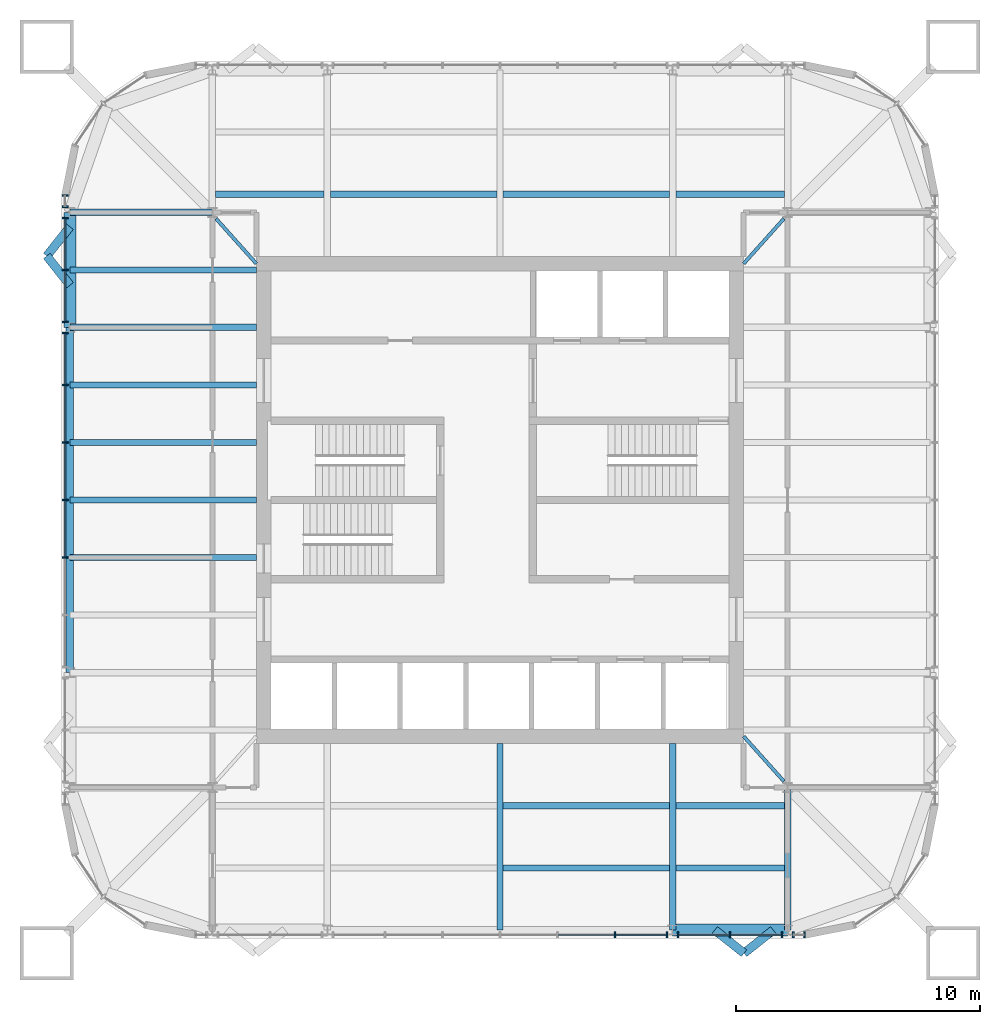
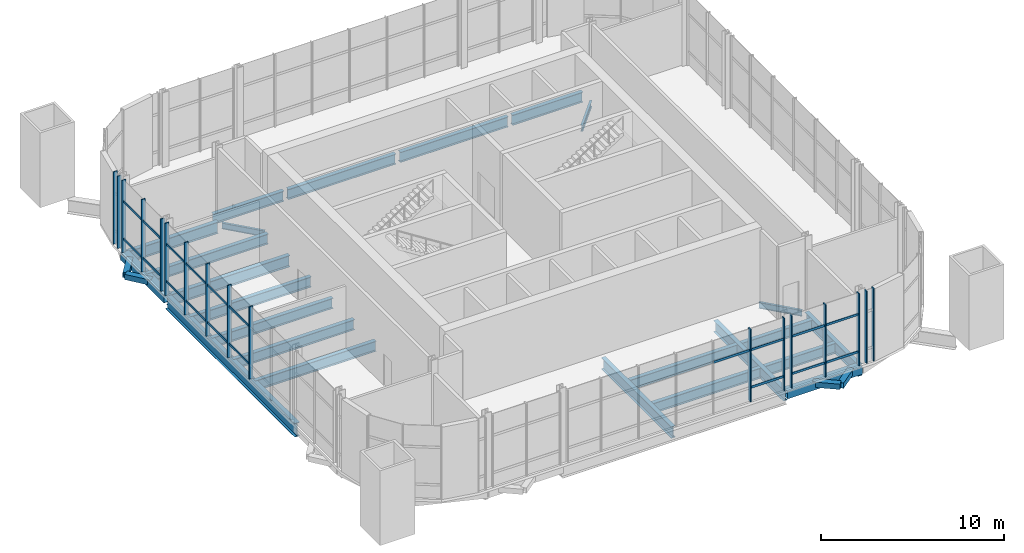
# One storey, part 3 of 15: 36 members, 28 beams, 6 elements without a shape of their own.
"""IFC4 building model written with IfcOpenShell, lengths in metres."""

from ifc_helpers import new_model, si_unit, direction, frame, origin, origin_2d, place, context, subcontext, project, spatial, rectangle, hollow_rectangle, i_section, extrude, material, material_profile, profile_set, type_object, element, aggregate, save


model = new_model("IFC4")

# Units and contexts
model_context = context("Model", 3, precision=1e-05, world=origin(), true_north=direction((0.0, 1.0)))
body_context = subcontext(model_context, "Body", "Model", "MODEL_VIEW")
ifc_project = project(units=[si_unit("LENGTHUNIT", "METRE"), si_unit("AREAUNIT", "SQUARE_METRE"), si_unit("VOLUMEUNIT", "CUBIC_METRE"), si_unit("PLANEANGLEUNIT", "RADIAN"), si_unit("MASSUNIT", "GRAM", prefix="KILO")], contexts=[model_context])

# Site, building, storey
site_placement = place(None, origin())
site = spatial("IfcSite", under=ifc_project, at=site_placement, CompositionType="ELEMENT")
building_placement = place(site_placement, origin())
building = spatial("IfcBuilding", under=site, at=building_placement, Name="Turquesa Mirador Hotel Tower", CompositionType="ELEMENT")
storey_placement = place(building_placement, frame((0.0, 0.0, 261.699951171875)))
storey = spatial("IfcBuildingStorey", under=building, at=storey_placement, Name="L71", CompositionType="ELEMENT", Elevation=261.699951171875)

# Beams
ifc_material_1 = material(Name="Steel ASTM A572 Grade 50", Category="steel")
ifc_material_profile_1 = material_profile(ifc_material_1, hollow_rectangle(XDim=0.5, YDim=0.5, WallThickness=0.01611328125, at=origin_2d()), Name="BOX500X500X16")
ifc_profile_set_1 = profile_set([ifc_material_profile_1], Name="Steel ASTM A572 Grade 50")
beam_type_1 = type_object("IfcBeamType", Name="BEAM BOX500X500X16", PredefinedType="BEAM", material=ifc_profile_set_1)
for number, where, z_axis, x_axis, name in (
    (1, (62.080078125, 27.35009765625, -0.419921875), (1.0, 0.0, 0.0), (0.0, 1.0, 0.0), "EB-L71-S-R"),
    (2, (37.35009765625, 52.080078125, -0.419921875), (0.0, 1.0, 0.0), (-1.0, 0.0, 0.0), "EB-L71-W-R"),
):
    element("IfcBeam", number, at=place(storey_placement, frame(where, z_axis=z_axis, x_axis=x_axis)), inside=storey, type_object=beam_type_1, Name=name, PredefinedType="BEAM", context=body_context, shape_type="SweptSolid", body=[
        extrude(hollow_rectangle(XDim=0.5, YDim=0.5, WallThickness=0.01611328125, at=origin_2d()), origin(), (0.0, 0.0, 1.0), 4.719970703125),
    ])
ifc_material_2 = material(Name="Steel ASTM A992 Grade 50", Category="steel")
ifc_material_profile_2 = material_profile(ifc_material_2, i_section(OverallWidth=0.140380859375, OverallDepth=0.40380859375, WebThickness=0.007080078125, FlangeThickness=0.01123046875, at=origin_2d()), Name="W16X31")
ifc_profile_set_2 = profile_set([ifc_material_profile_2], Name="Steel ASTM A992 Grade 50")
beam_type_2 = type_object("IfcBeamType", Name="BEAM W16X31", PredefinedType="BEAM", material=ifc_profile_set_2)
for number, where, z_axis, x_axis, name in (
    (3, (66.656494140625, 56.55126953125, -0.371826171875), (-0.666806350186, -0.745231032198, 0.0), (0.745231032198, -0.666806350186, 0.0), "KT-L71-1"),
    (4, (43.343505859375, 56.55126953125, -0.371826171875), (0.666806350186, -0.745231032198, 0.0), (0.745231032198, 0.666806350186, 0.0), "KT-L71-2"),
    (5, (66.656494140625, 33.44873046875, -0.371826171875), (-0.666806350186, 0.745231032198, 0.0), (-0.745231032198, -0.666806350186, 0.0), "KT-L71-4"),
):
    element("IfcBeam", number, at=place(storey_placement, frame(where, z_axis=z_axis, x_axis=x_axis)), inside=storey, type_object=beam_type_2, Name=name, PredefinedType="BEAM", context=body_context, shape_type="SweptSolid", body=[
        extrude(i_section(OverallWidth=0.140380859375, OverallDepth=0.40380859375, WebThickness=0.007080078125, FlangeThickness=0.01123046875, at=origin_2d()), origin(), (0.0, 0.0, 1.0), 2.484130859375),
    ])
ifc_material_3 = material(Name="Steel ASTM A992 Grade 50", Category="steel")
ifc_material_profile_3 = material_profile(ifc_material_3, i_section(OverallWidth=0.25390625, OverallDepth=0.683349609375, WebThickness=0.012451171875, FlangeThickness=0.018798828125, at=origin_2d()), Name="W27X94")
ifc_profile_set_3 = profile_set([ifc_material_profile_3], Name="Steel ASTM A992 Grade 50")
beam_type_3 = type_object("IfcBeamType", Name="BEAM W27X94", PredefinedType="BEAM", material=ifc_profile_set_3)
beam_1_placement = place(storey_placement, frame((43.333251953125, 57.550048828125, -0.511474609375), z_axis=(1.0, 0.0, 0.0), x_axis=(0.0, 1.0, 0.0)))
element("IfcBeam", 6, at=beam_1_placement, inside=storey, type_object=beam_type_3, Name="IB-L71-N-1-0", PredefinedType="BEAM", context=body_context, shape_type="SweptSolid", body=[
    extrude(i_section(OverallWidth=0.25390625, OverallDepth=0.683349609375, WebThickness=0.012451171875, FlangeThickness=0.018798828125, at=origin_2d()), origin(), (0.0, 0.0, 1.0), 4.453369140625),
])
for number, where, z_axis, x_axis, name in (
    (7, (48.053466796875, 57.550048828125, -0.511474609375), (1.0, 0.0, 0.0), (0.0, 1.0, 0.0), "IB-L71-N-1-1"),
    (8, (55.13330078125, 57.550048828125, -0.511474609375), (1.0, 0.0, 0.0), (0.0, 1.0, 0.0), "IB-L71-N-1-2"),
):
    element("IfcBeam", number, at=place(storey_placement, frame(where, z_axis=z_axis, x_axis=x_axis)), inside=storey, type_object=beam_type_3, Name=name, PredefinedType="BEAM", context=body_context, shape_type="SweptSolid", body=[
        extrude(i_section(OverallWidth=0.25390625, OverallDepth=0.683349609375, WebThickness=0.012451171875, FlangeThickness=0.018798828125, at=origin_2d()), origin(), (0.0, 0.0, 1.0), 6.813232421875),
    ])
beam_2_placement = place(storey_placement, frame((62.21337890625, 57.550048828125, -0.511474609375), z_axis=(1.0, 0.0, 0.0), x_axis=(0.0, 1.0, 0.0)))
element("IfcBeam", 9, at=beam_2_placement, inside=storey, type_object=beam_type_3, Name="IB-L71-N-1-3", PredefinedType="BEAM", context=body_context, shape_type="SweptSolid", body=[
    extrude(i_section(OverallWidth=0.25390625, OverallDepth=0.683349609375, WebThickness=0.012451171875, FlangeThickness=0.018798828125, at=origin_2d()), origin(), (0.0, 0.0, 1.0), 4.453369140625),
])
beam_3_placement = place(storey_placement, frame((55.13330078125, 32.449951171875, -0.511474609375), z_axis=(1.0, 0.0, 0.0), x_axis=(0.0, 1.0, 0.0)))
element("IfcBeam", 10, at=beam_3_placement, inside=storey, type_object=beam_type_3, Name="IB-L71-S-1-2", PredefinedType="BEAM", context=body_context, shape_type="SweptSolid", body=[
    extrude(i_section(OverallWidth=0.25390625, OverallDepth=0.683349609375, WebThickness=0.012451171875, FlangeThickness=0.018798828125, at=origin_2d()), origin(), (0.0, 0.0, 1.0), 6.813232421875),
])
beam_4_placement = place(storey_placement, frame((62.21337890625, 32.449951171875, -0.511474609375), z_axis=(1.0, 0.0, 0.0), x_axis=(0.0, 1.0, 0.0)))
element("IfcBeam", 11, at=beam_4_placement, inside=storey, type_object=beam_type_3, Name="IB-L71-S-1-3", PredefinedType="BEAM", context=body_context, shape_type="SweptSolid", body=[
    extrude(i_section(OverallWidth=0.25390625, OverallDepth=0.683349609375, WebThickness=0.012451171875, FlangeThickness=0.018798828125, at=origin_2d()), origin(), (0.0, 0.0, 1.0), 4.453369140625),
])
beam_5_placement = place(storey_placement, frame((55.13330078125, 29.89990234375, -0.511474609375), z_axis=(1.0, 0.0, 0.0), x_axis=(0.0, 1.0, 0.0)))
element("IfcBeam", 12, at=beam_5_placement, inside=storey, type_object=beam_type_3, Name="IB-L71-S-2-2", PredefinedType="BEAM", context=body_context, shape_type="SweptSolid", body=[
    extrude(i_section(OverallWidth=0.25390625, OverallDepth=0.683349609375, WebThickness=0.012451171875, FlangeThickness=0.018798828125, at=origin_2d()), origin(), (0.0, 0.0, 1.0), 6.813232421875),
])
beam_6_placement = place(storey_placement, frame((62.21337890625, 29.89990234375, -0.511474609375), z_axis=(1.0, 0.0, 0.0), x_axis=(0.0, 1.0, 0.0)))
element("IfcBeam", 13, at=beam_6_placement, inside=storey, type_object=beam_type_3, Name="IB-L71-S-2-3", PredefinedType="BEAM", context=body_context, shape_type="SweptSolid", body=[
    extrude(i_section(OverallWidth=0.25390625, OverallDepth=0.683349609375, WebThickness=0.012451171875, FlangeThickness=0.018798828125, at=origin_2d()), origin(), (0.0, 0.0, 1.0), 4.453369140625),
])
for number, where, z_axis, x_axis, name in (
    (14, (37.35009765625, 42.639892578125, -0.511474609375), (1.0, 0.0, 0.0), (0.0, 1.0, 0.0), "BM-L71-W--2.36"),
    (15, (37.35009765625, 45.0, -0.511474609375), (1.0, 0.0, 0.0), (0.0, 1.0, 0.0), "BM-L71-W-+0.00"),
    (16, (37.35009765625, 47.360107421875, -0.511474609375), (1.0, 0.0, 0.0), (0.0, 1.0, 0.0), "BM-L71-W-+2.36"),
    (17, (37.35009765625, 49.719970703125, -0.511474609375), (1.0, 0.0, 0.0), (0.0, 1.0, 0.0), "BM-L71-W-+4.72"),
    (18, (37.35009765625, 54.43994140625, -0.511474609375), (1.0, 0.0, 0.0), (0.0, 1.0, 0.0), "BM-L71-W-+9.44"),
):
    element("IfcBeam", number, at=place(storey_placement, frame(where, z_axis=z_axis, x_axis=x_axis)), inside=storey, type_object=beam_type_3, Name=name, PredefinedType="BEAM", context=body_context, shape_type="SweptSolid", body=[
        extrude(i_section(OverallWidth=0.25390625, OverallDepth=0.683349609375, WebThickness=0.012451171875, FlangeThickness=0.018798828125, at=origin_2d()), origin(), (0.0, 0.0, 1.0), 7.64990234375),
    ])
ifc_material_4 = material(Name="Steel ASTM A992 Grade 50", Category="steel")
ifc_material_profile_4 = material_profile(ifc_material_4, i_section(OverallWidth=0.2666015625, OverallDepth=0.761962890625, WebThickness=0.014404296875, FlangeThickness=0.021484375, at=origin_2d()), Name="W30X116")
ifc_profile_set_4 = profile_set([ifc_material_profile_4], Name="Steel ASTM A992 Grade 50")
beam_type_4 = type_object("IfcBeamType", Name="BEAM W30X116", PredefinedType="BEAM", material=ifc_profile_set_4)
for number, where, z_axis, x_axis, name in (
    (19, (62.080078125, 27.35009765625, -0.551025390625), (0.0, 1.0, 0.0), (-1.0, 0.0, 0.0), "GD-L71-S-+7.08"),
    (20, (55.0, 27.35009765625, -0.551025390625), (0.0, 1.0, 0.0), (-1.0, 0.0, 0.0), "GD-L71-S-+0.00"),
):
    element("IfcBeam", number, at=place(storey_placement, frame(where, z_axis=z_axis, x_axis=x_axis)), inside=storey, type_object=beam_type_4, Name=name, PredefinedType="BEAM", context=body_context, shape_type="SweptSolid", body=[
        extrude(i_section(OverallWidth=0.2666015625, OverallDepth=0.761962890625, WebThickness=0.014404296875, FlangeThickness=0.021484375, at=origin_2d()), origin(), (0.0, 0.0, 1.0), 7.64990234375),
    ])
beam_7_placement = place(storey_placement, frame((66.800048828125, 27.35009765625, -0.551025390625), z_axis=(0.0, 1.0, 0.0), x_axis=(-1.0, 0.0, 0.0)))
element("IfcBeam", 21, at=beam_7_placement, inside=storey, type_object=beam_type_4, Name="GK-L71-S-+11.80", PredefinedType="BEAM", context=body_context, shape_type="SweptSolid", body=[
    extrude(i_section(OverallWidth=0.2666015625, OverallDepth=0.761962890625, WebThickness=0.014404296875, FlangeThickness=0.021484375, at=origin_2d()), origin(), (0.0, 0.0, 1.0), 5.849853515625),
])
beam_8_placement = place(storey_placement, frame((37.35009765625, 52.080078125, -0.551025390625), z_axis=(1.0, 0.0, 0.0), x_axis=(0.0, 1.0, 0.0)))
element("IfcBeam", 22, at=beam_8_placement, inside=storey, type_object=beam_type_4, Name="GD-L71-W-+7.08", PredefinedType="BEAM", context=body_context, shape_type="SweptSolid", body=[
    extrude(i_section(OverallWidth=0.2666015625, OverallDepth=0.761962890625, WebThickness=0.014404296875, FlangeThickness=0.021484375, at=origin_2d()), origin(), (0.0, 0.0, 1.0), 7.64990234375),
])
beam_9_placement = place(storey_placement, frame((37.35009765625, 56.800048828125, -0.551025390625), z_axis=(1.0, 0.0, 0.0), x_axis=(0.0, 1.0, 0.0)))
element("IfcBeam", 23, at=beam_9_placement, inside=storey, type_object=beam_type_4, Name="GK-L71-W-+11.80", PredefinedType="BEAM", context=body_context, shape_type="SweptSolid", body=[
    extrude(i_section(OverallWidth=0.2666015625, OverallDepth=0.761962890625, WebThickness=0.014404296875, FlangeThickness=0.021484375, at=origin_2d()), origin(), (0.0, 0.0, 1.0), 5.849853515625),
])
ifc_material_5 = material(Name="Steel ASTM A992 Grade 50", Category="steel")
ifc_material_profile_5 = material_profile(ifc_material_5, i_section(OverallWidth=0.3046875, OverallDepth=0.911865234375, WebThickness=0.015869140625, FlangeThickness=0.02392578125, at=origin_2d()), Name="W36X150")
ifc_profile_set_5 = profile_set([ifc_material_profile_5], Name="Steel ASTM A992 Grade 50")
beam_type_5 = type_object("IfcBeamType", Name="BEAM W36X150", PredefinedType="BEAM", material=ifc_profile_set_5)
beam_10_placement = place(storey_placement, frame((37.35009765625, 37.919921875, -0.6259765625), z_axis=(0.0, 1.0, 0.0), x_axis=(-1.0, 0.0, 0.0)))
element("IfcBeam", 24, at=beam_10_placement, inside=storey, type_object=beam_type_5, Name="EB-L71-W-C", PredefinedType="BEAM", context=body_context, shape_type="SweptSolid", body=[
    extrude(i_section(OverallWidth=0.3046875, OverallDepth=0.911865234375, WebThickness=0.015869140625, FlangeThickness=0.02392578125, at=origin_2d()), origin(), (0.0, 0.0, 1.0), 14.16015625),
])
ifc_material_6 = material(Name="Steel ASTM A500 Grade C", Category="steel")
ifc_material_profile_6 = material_profile(ifc_material_6, hollow_rectangle(XDim=0.355712890625, YDim=0.355712890625, WallThickness=0.0146484375, at=origin_2d()), Name="HSS14X14X5/8")
ifc_profile_set_6 = profile_set([ifc_material_profile_6], Name="Steel ASTM A500 Grade C")
beam_type_6 = type_object("IfcBeamType", Name="BRACE STRUT HSS14X14X5/8", PredefinedType="BEAM", material=ifc_profile_set_6)
for number, where, z_axis, x_axis, name in (
    (25, (65.015380859375, 26.39990234375, -0.34765625), (-0.783971428146, 0.620796907089, 0.0), (-0.620796907089, -0.783971428146, 0.0), "Brace strut"),
    (26, (65.015380859375, 26.39990234375, -0.34765625), (0.783971428146, 0.620796907089, 0.0), (-0.620796907089, 0.783971428146, 0.0), "Brace strut"),
    (27, (36.39990234375, 55.015380859375, -0.34765625), (0.620796907089, -0.783971428146, 0.0), (0.783971428146, 0.620796907089, 0.0), "Brace strut"),
    (28, (36.39990234375, 55.015380859375, -0.34765625), (0.620796907089, 0.783971428146, 0.0), (-0.783971428146, 0.620796907089, 0.0), "Brace strut"),
):
    element("IfcBeam", number, at=place(storey_placement, frame(where, z_axis=z_axis, x_axis=x_axis)), inside=storey, type_object=beam_type_6, Name=name, PredefinedType="BEAM", context=body_context, shape_type="SweptSolid", body=[
        extrude(hollow_rectangle(XDim=0.355712890625, YDim=0.355712890625, WallThickness=0.0146484375, at=origin_2d()), origin(), (0.0, 0.0, 1.0), 1.530517578125),
    ])

# Curtain wall, members
ifc_material_7 = material(Name="Aluminium extrusion", Category="aluminium")
curtain_wall_type = type_object("IfcCurtainWallType", Name="CW-5 SKY RESTAURANT CURTAIN WALL", PredefinedType="USERDEFINED", material=ifc_material_7)
curtain_wall_1_placement = place(storey_placement, origin())
curtain_wall_1 = element("IfcCurtainWall", 29, at=curtain_wall_1_placement, inside=storey, type_object=curtain_wall_type, Name="CW-5 SKY RESTAURANT CURTAIN WALL L71", ObjectType="CURTAIN WALL", PredefinedType="USERDEFINED")
ifc_material_8 = material(Name="Aluminium extrusion", Category="aluminium")
ifc_material_profile_7 = material_profile(ifc_material_8, rectangle(XDim=0.06494140625, YDim=0.25, at=origin_2d()), Name="MULLION 65X250")
ifc_profile_set_7 = profile_set([ifc_material_profile_7], Name="Aluminium extrusion")
member_type_1 = type_object("IfcMemberType", Name="CW MULLION 65X250", PredefinedType="MULLION", material=ifc_profile_set_7)
member_1_placement = place(storey_placement, frame((37.14990234375, 57.5, 0.0), z_axis=(0.0, 0.0, 1.0), x_axis=(0.0, -1.0, 0.0)))
member_1 = element("IfcMember", 30, at=member_1_placement, type_object=member_type_1, Name="Mullion", PredefinedType="MULLION", context=body_context, shape_type="SweptSolid", body=[
    extrude(rectangle(XDim=0.06494140625, YDim=0.25, at=origin_2d()), origin(), (0.0, 0.0, 1.0), 4.830078125),
])
member_2_placement = place(storey_placement, frame((37.14990234375, 57.033935546875, 0.0), z_axis=(0.0, 0.0, 1.0), x_axis=(0.0, -1.0, 0.0)))
member_2 = element("IfcMember", 31, at=member_2_placement, type_object=member_type_1, Name="Mullion", PredefinedType="MULLION", context=body_context, shape_type="SweptSolid", body=[
    extrude(rectangle(XDim=0.06494140625, YDim=0.25, at=origin_2d()), origin(), (0.0, 0.0, 1.0), 4.830078125),
])
aggregate(curtain_wall_1, [member_1, member_2])

curtain_wall_2_placement = place(storey_placement, origin())
curtain_wall_2 = element("IfcCurtainWall", 32, at=curtain_wall_2_placement, inside=storey, type_object=curtain_wall_type, Name="CW-5 SKY RESTAURANT CURTAIN WALL L71", ObjectType="CURTAIN WALL", PredefinedType="USERDEFINED")
member_3_placement = place(storey_placement, frame((37.14990234375, 56.566162109375, 0.0), z_axis=(0.0, 0.0, 1.0), x_axis=(0.0, -1.0, 0.0)))
member_3 = element("IfcMember", 33, at=member_3_placement, type_object=member_type_1, Name="Mullion", PredefinedType="MULLION", context=body_context, shape_type="SweptSolid", body=[
    extrude(rectangle(XDim=0.06494140625, YDim=0.25, at=origin_2d()), origin(), (0.0, 0.0, 1.0), 4.830078125),
])
member_4_placement = place(storey_placement, frame((37.14990234375, 54.43994140625, 0.0), z_axis=(0.0, 0.0, 1.0), x_axis=(0.0, -1.0, 0.0)))
member_4 = element("IfcMember", 34, at=member_4_placement, type_object=member_type_1, Name="Mullion", PredefinedType="MULLION", context=body_context, shape_type="SweptSolid", body=[
    extrude(rectangle(XDim=0.06494140625, YDim=0.25, at=origin_2d()), origin(), (0.0, 0.0, 1.0), 4.830078125),
])
member_5_placement = place(storey_placement, frame((37.14990234375, 52.31396484375, 0.0), z_axis=(0.0, 0.0, 1.0), x_axis=(0.0, -1.0, 0.0)))
member_5 = element("IfcMember", 35, at=member_5_placement, type_object=member_type_1, Name="Mullion", PredefinedType="MULLION", context=body_context, shape_type="SweptSolid", body=[
    extrude(rectangle(XDim=0.06494140625, YDim=0.25, at=origin_2d()), origin(), (0.0, 0.0, 1.0), 4.830078125),
])

curtain_wall_3_placement = place(storey_placement, origin())
curtain_wall_3 = element("IfcCurtainWall", 36, at=curtain_wall_3_placement, inside=storey, type_object=curtain_wall_type, Name="CW-5 SKY RESTAURANT CURTAIN WALL L71", ObjectType="CURTAIN WALL", PredefinedType="USERDEFINED")
member_6_placement = place(storey_placement, frame((37.14990234375, 51.84619140625, 0.0), z_axis=(0.0, 0.0, 1.0), x_axis=(0.0, -1.0, 0.0)))
member_6 = element("IfcMember", 37, at=member_6_placement, type_object=member_type_1, Name="Mullion", PredefinedType="MULLION", context=body_context, shape_type="SweptSolid", body=[
    extrude(rectangle(XDim=0.06494140625, YDim=0.25, at=origin_2d()), origin(), (0.0, 0.0, 1.0), 4.830078125),
])
member_7_placement = place(storey_placement, frame((37.14990234375, 49.719970703125, 0.0), z_axis=(0.0, 0.0, 1.0), x_axis=(0.0, -1.0, 0.0)))
member_7 = element("IfcMember", 38, at=member_7_placement, type_object=member_type_1, Name="Mullion", PredefinedType="MULLION", context=body_context, shape_type="SweptSolid", body=[
    extrude(rectangle(XDim=0.06494140625, YDim=0.25, at=origin_2d()), origin(), (0.0, 0.0, 1.0), 4.830078125),
])
member_8_placement = place(storey_placement, frame((37.14990234375, 47.360107421875, 0.0), z_axis=(0.0, 0.0, 1.0), x_axis=(0.0, -1.0, 0.0)))
member_8 = element("IfcMember", 39, at=member_8_placement, type_object=member_type_1, Name="Mullion", PredefinedType="MULLION", context=body_context, shape_type="SweptSolid", body=[
    extrude(rectangle(XDim=0.06494140625, YDim=0.25, at=origin_2d()), origin(), (0.0, 0.0, 1.0), 4.830078125),
])
member_9_placement = place(storey_placement, frame((37.14990234375, 45.0, 0.0), z_axis=(0.0, 0.0, 1.0), x_axis=(0.0, -1.0, 0.0)))
member_9 = element("IfcMember", 40, at=member_9_placement, type_object=member_type_1, Name="Mullion", PredefinedType="MULLION", context=body_context, shape_type="SweptSolid", body=[
    extrude(rectangle(XDim=0.06494140625, YDim=0.25, at=origin_2d()), origin(), (0.0, 0.0, 1.0), 4.830078125),
])
member_10_placement = place(storey_placement, frame((37.14990234375, 42.639892578125, 0.0), z_axis=(0.0, 0.0, 1.0), x_axis=(0.0, -1.0, 0.0)))
member_10 = element("IfcMember", 41, at=member_10_placement, type_object=member_type_1, Name="Mullion", PredefinedType="MULLION", context=body_context, shape_type="SweptSolid", body=[
    extrude(rectangle(XDim=0.06494140625, YDim=0.25, at=origin_2d()), origin(), (0.0, 0.0, 1.0), 4.830078125),
])

curtain_wall_4_placement = place(storey_placement, origin())
curtain_wall_4 = element("IfcCurtainWall", 42, at=curtain_wall_4_placement, inside=storey, type_object=curtain_wall_type, Name="CW-5 SKY RESTAURANT CURTAIN WALL L71", ObjectType="CURTAIN WALL", PredefinedType="USERDEFINED")
member_11_placement = place(storey_placement, frame((59.719970703125, 27.14990234375, 0.0), z_axis=(0.0, 0.0, 1.0), x_axis=(1.0, 0.0, 0.0)))
member_11 = element("IfcMember", 43, at=member_11_placement, type_object=member_type_1, Name="Mullion", PredefinedType="MULLION", context=body_context, shape_type="SweptSolid", body=[
    extrude(rectangle(XDim=0.06494140625, YDim=0.25, at=origin_2d()), origin(), (0.0, 0.0, 1.0), 4.830078125),
])
member_12_placement = place(storey_placement, frame((61.84619140625, 27.14990234375, 0.0), z_axis=(0.0, 0.0, 1.0), x_axis=(1.0, 0.0, 0.0)))
member_12 = element("IfcMember", 44, at=member_12_placement, type_object=member_type_1, Name="Mullion", PredefinedType="MULLION", context=body_context, shape_type="SweptSolid", body=[
    extrude(rectangle(XDim=0.06494140625, YDim=0.25, at=origin_2d()), origin(), (0.0, 0.0, 1.0), 4.830078125),
])

curtain_wall_5_placement = place(storey_placement, origin())
curtain_wall_5 = element("IfcCurtainWall", 45, at=curtain_wall_5_placement, inside=storey, type_object=curtain_wall_type, Name="CW-5 SKY RESTAURANT CURTAIN WALL L71", ObjectType="CURTAIN WALL", PredefinedType="USERDEFINED")
member_13_placement = place(storey_placement, frame((62.31396484375, 27.14990234375, 0.0), z_axis=(0.0, 0.0, 1.0), x_axis=(1.0, 0.0, 0.0)))
member_13 = element("IfcMember", 46, at=member_13_placement, type_object=member_type_1, Name="Mullion", PredefinedType="MULLION", context=body_context, shape_type="SweptSolid", body=[
    extrude(rectangle(XDim=0.06494140625, YDim=0.25, at=origin_2d()), origin(), (0.0, 0.0, 1.0), 4.830078125),
])
member_14_placement = place(storey_placement, frame((64.43994140625, 27.14990234375, 0.0), z_axis=(0.0, 0.0, 1.0), x_axis=(1.0, 0.0, 0.0)))
member_14 = element("IfcMember", 47, at=member_14_placement, type_object=member_type_1, Name="Mullion", PredefinedType="MULLION", context=body_context, shape_type="SweptSolid", body=[
    extrude(rectangle(XDim=0.06494140625, YDim=0.25, at=origin_2d()), origin(), (0.0, 0.0, 1.0), 4.830078125),
])
member_15_placement = place(storey_placement, frame((66.566162109375, 27.14990234375, 0.0), z_axis=(0.0, 0.0, 1.0), x_axis=(1.0, 0.0, 0.0)))
member_15 = element("IfcMember", 48, at=member_15_placement, type_object=member_type_1, Name="Mullion", PredefinedType="MULLION", context=body_context, shape_type="SweptSolid", body=[
    extrude(rectangle(XDim=0.06494140625, YDim=0.25, at=origin_2d()), origin(), (0.0, 0.0, 1.0), 4.830078125),
])

curtain_wall_6_placement = place(storey_placement, origin())
curtain_wall_6 = element("IfcCurtainWall", 49, at=curtain_wall_6_placement, inside=storey, type_object=curtain_wall_type, Name="CW-5 SKY RESTAURANT CURTAIN WALL L71", ObjectType="CURTAIN WALL", PredefinedType="USERDEFINED")
member_16_placement = place(storey_placement, frame((67.033935546875, 27.14990234375, 0.0), z_axis=(0.0, 0.0, 1.0), x_axis=(1.0, 0.0, 0.0)))
member_16 = element("IfcMember", 50, at=member_16_placement, type_object=member_type_1, Name="Mullion", PredefinedType="MULLION", context=body_context, shape_type="SweptSolid", body=[
    extrude(rectangle(XDim=0.06494140625, YDim=0.25, at=origin_2d()), origin(), (0.0, 0.0, 1.0), 4.830078125),
])
member_17_placement = place(storey_placement, frame((67.5, 27.14990234375, 0.0), z_axis=(0.0, 0.0, 1.0), x_axis=(1.0, 0.0, 0.0)))
member_17 = element("IfcMember", 51, at=member_17_placement, type_object=member_type_1, Name="Mullion", PredefinedType="MULLION", context=body_context, shape_type="SweptSolid", body=[
    extrude(rectangle(XDim=0.06494140625, YDim=0.25, at=origin_2d()), origin(), (0.0, 0.0, 1.0), 4.830078125),
])
aggregate(curtain_wall_6, [member_16, member_17])

# Member
ifc_material_9 = material(Name="Aluminium extrusion", Category="aluminium")
ifc_material_profile_8 = material_profile(ifc_material_9, rectangle(XDim=0.06494140625, YDim=0.14990234375, at=origin_2d()), Name="TRANSOM 65X150")
ifc_profile_set_8 = profile_set([ifc_material_profile_8], Name="Aluminium extrusion")
member_type_2 = type_object("IfcMemberType", Name="CW TRANSOM 65X150", PredefinedType="USERDEFINED", material=ifc_profile_set_8)
member_18_placement = place(storey_placement, frame((37.14990234375, 56.53369140625, 0.900146484375), z_axis=(0.0, -1.0, 0.0), x_axis=(1.0, 0.0, 0.0)))
member_18 = element("IfcMember", 52, at=member_18_placement, type_object=member_type_2, Name="Transom", ObjectType="TRANSOM", PredefinedType="USERDEFINED", context=body_context, shape_type="SweptSolid", body=[
    extrude(rectangle(XDim=0.06494140625, YDim=0.14990234375, at=origin_2d()), origin(), (0.0, 0.0, 1.0), 2.061279296875),
])

member_19_placement = place(storey_placement, frame((37.14990234375, 56.53369140625, 3.400146484375), z_axis=(0.0, -1.0, 0.0), x_axis=(1.0, 0.0, 0.0)))
member_19 = element("IfcMember", 53, at=member_19_placement, type_object=member_type_2, Name="Transom", ObjectType="TRANSOM", PredefinedType="USERDEFINED", context=body_context, shape_type="SweptSolid", body=[
    extrude(rectangle(XDim=0.06494140625, YDim=0.14990234375, at=origin_2d()), origin(), (0.0, 0.0, 1.0), 2.061279296875),
])

member_20_placement = place(storey_placement, frame((37.14990234375, 54.407470703125, 0.900146484375), z_axis=(0.0, -1.0, 0.0), x_axis=(1.0, 0.0, 0.0)))
member_20 = element("IfcMember", 54, at=member_20_placement, type_object=member_type_2, Name="Transom", ObjectType="TRANSOM", PredefinedType="USERDEFINED", context=body_context, shape_type="SweptSolid", body=[
    extrude(rectangle(XDim=0.06494140625, YDim=0.14990234375, at=origin_2d()), origin(), (0.0, 0.0, 1.0), 2.06103515625),
])

member_21_placement = place(storey_placement, frame((37.14990234375, 54.407470703125, 3.400146484375), z_axis=(0.0, -1.0, 0.0), x_axis=(1.0, 0.0, 0.0)))
member_21 = element("IfcMember", 55, at=member_21_placement, type_object=member_type_2, Name="Transom", ObjectType="TRANSOM", PredefinedType="USERDEFINED", context=body_context, shape_type="SweptSolid", body=[
    extrude(rectangle(XDim=0.06494140625, YDim=0.14990234375, at=origin_2d()), origin(), (0.0, 0.0, 1.0), 2.06103515625),
])

aggregate(curtain_wall_2, [member_3, member_4, member_5, member_18, member_19, member_20, member_21])

member_22_placement = place(storey_placement, frame((37.14990234375, 51.813720703125, 0.900146484375), z_axis=(0.0, -1.0, 0.0), x_axis=(1.0, 0.0, 0.0)))
member_22 = element("IfcMember", 56, at=member_22_placement, type_object=member_type_2, Name="Transom", ObjectType="TRANSOM", PredefinedType="USERDEFINED", context=body_context, shape_type="SweptSolid", body=[
    extrude(rectangle(XDim=0.06494140625, YDim=0.14990234375, at=origin_2d()), origin(), (0.0, 0.0, 1.0), 2.061279296875),
])

member_23_placement = place(storey_placement, frame((37.14990234375, 51.813720703125, 3.400146484375), z_axis=(0.0, -1.0, 0.0), x_axis=(1.0, 0.0, 0.0)))
member_23 = element("IfcMember", 57, at=member_23_placement, type_object=member_type_2, Name="Transom", ObjectType="TRANSOM", PredefinedType="USERDEFINED", context=body_context, shape_type="SweptSolid", body=[
    extrude(rectangle(XDim=0.06494140625, YDim=0.14990234375, at=origin_2d()), origin(), (0.0, 0.0, 1.0), 2.061279296875),
])

member_24_placement = place(storey_placement, frame((37.14990234375, 49.6875, 0.900146484375), z_axis=(0.0, -1.0, 0.0), x_axis=(1.0, 0.0, 0.0)))
member_24 = element("IfcMember", 58, at=member_24_placement, type_object=member_type_2, Name="Transom", ObjectType="TRANSOM", PredefinedType="USERDEFINED", context=body_context, shape_type="SweptSolid", body=[
    extrude(rectangle(XDim=0.06494140625, YDim=0.14990234375, at=origin_2d()), origin(), (0.0, 0.0, 1.0), 2.294921875),
])

member_25_placement = place(storey_placement, frame((37.14990234375, 49.6875, 3.400146484375), z_axis=(0.0, -1.0, 0.0), x_axis=(1.0, 0.0, 0.0)))
member_25 = element("IfcMember", 59, at=member_25_placement, type_object=member_type_2, Name="Transom", ObjectType="TRANSOM", PredefinedType="USERDEFINED", context=body_context, shape_type="SweptSolid", body=[
    extrude(rectangle(XDim=0.06494140625, YDim=0.14990234375, at=origin_2d()), origin(), (0.0, 0.0, 1.0), 2.294921875),
])

member_26_placement = place(storey_placement, frame((37.14990234375, 47.327392578125, 0.900146484375), z_axis=(0.0, -1.0, 0.0), x_axis=(1.0, 0.0, 0.0)))
member_26 = element("IfcMember", 60, at=member_26_placement, type_object=member_type_2, Name="Transom", ObjectType="TRANSOM", PredefinedType="USERDEFINED", context=body_context, shape_type="SweptSolid", body=[
    extrude(rectangle(XDim=0.06494140625, YDim=0.14990234375, at=origin_2d()), origin(), (0.0, 0.0, 1.0), 2.294921875),
])

member_27_placement = place(storey_placement, frame((37.14990234375, 47.327392578125, 3.400146484375), z_axis=(0.0, -1.0, 0.0), x_axis=(1.0, 0.0, 0.0)))
member_27 = element("IfcMember", 61, at=member_27_placement, type_object=member_type_2, Name="Transom", ObjectType="TRANSOM", PredefinedType="USERDEFINED", context=body_context, shape_type="SweptSolid", body=[
    extrude(rectangle(XDim=0.06494140625, YDim=0.14990234375, at=origin_2d()), origin(), (0.0, 0.0, 1.0), 2.294921875),
])

member_28_placement = place(storey_placement, frame((37.14990234375, 44.967529296875, 0.900146484375), z_axis=(0.0, -1.0, 0.0), x_axis=(1.0, 0.0, 0.0)))
member_28 = element("IfcMember", 62, at=member_28_placement, type_object=member_type_2, Name="Transom", ObjectType="TRANSOM", PredefinedType="USERDEFINED", context=body_context, shape_type="SweptSolid", body=[
    extrude(rectangle(XDim=0.06494140625, YDim=0.14990234375, at=origin_2d()), origin(), (0.0, 0.0, 1.0), 2.294921875),
])

member_29_placement = place(storey_placement, frame((37.14990234375, 44.967529296875, 3.400146484375), z_axis=(0.0, -1.0, 0.0), x_axis=(1.0, 0.0, 0.0)))
member_29 = element("IfcMember", 63, at=member_29_placement, type_object=member_type_2, Name="Transom", ObjectType="TRANSOM", PredefinedType="USERDEFINED", context=body_context, shape_type="SweptSolid", body=[
    extrude(rectangle(XDim=0.06494140625, YDim=0.14990234375, at=origin_2d()), origin(), (0.0, 0.0, 1.0), 2.294921875),
])

aggregate(curtain_wall_3, [member_6, member_7, member_8, member_9, member_10, member_22, member_23, member_24, member_25, member_26, member_27, member_28, member_29])

member_30_placement = place(storey_placement, frame((57.392578125, 27.14990234375, 3.400146484375), z_axis=(1.0, 0.0, 0.0), x_axis=(0.0, 1.0, 0.0)))
member_30 = element("IfcMember", 64, at=member_30_placement, type_object=member_type_2, Name="Transom", ObjectType="TRANSOM", PredefinedType="USERDEFINED", context=body_context, shape_type="SweptSolid", body=[
    extrude(rectangle(XDim=0.06494140625, YDim=0.14990234375, at=origin_2d()), origin(), (0.0, 0.0, 1.0), 2.294921875),
])

member_31_placement = place(storey_placement, frame((59.75244140625, 27.14990234375, 0.900146484375), z_axis=(1.0, 0.0, 0.0), x_axis=(0.0, 1.0, 0.0)))
member_31 = element("IfcMember", 65, at=member_31_placement, type_object=member_type_2, Name="Transom", ObjectType="TRANSOM", PredefinedType="USERDEFINED", context=body_context, shape_type="SweptSolid", body=[
    extrude(rectangle(XDim=0.06494140625, YDim=0.14990234375, at=origin_2d()), origin(), (0.0, 0.0, 1.0), 2.061279296875),
])

member_32_placement = place(storey_placement, frame((59.75244140625, 27.14990234375, 3.400146484375), z_axis=(1.0, 0.0, 0.0), x_axis=(0.0, 1.0, 0.0)))
member_32 = element("IfcMember", 66, at=member_32_placement, type_object=member_type_2, Name="Transom", ObjectType="TRANSOM", PredefinedType="USERDEFINED", context=body_context, shape_type="SweptSolid", body=[
    extrude(rectangle(XDim=0.06494140625, YDim=0.14990234375, at=origin_2d()), origin(), (0.0, 0.0, 1.0), 2.061279296875),
])

aggregate(curtain_wall_4, [member_11, member_12, member_30, member_31, member_32])

member_33_placement = place(storey_placement, frame((62.346435546875, 27.14990234375, 0.900146484375), z_axis=(1.0, 0.0, 0.0), x_axis=(0.0, 1.0, 0.0)))
member_33 = element("IfcMember", 67, at=member_33_placement, type_object=member_type_2, Name="Transom", ObjectType="TRANSOM", PredefinedType="USERDEFINED", context=body_context, shape_type="SweptSolid", body=[
    extrude(rectangle(XDim=0.06494140625, YDim=0.14990234375, at=origin_2d()), origin(), (0.0, 0.0, 1.0), 2.06103515625),
])

member_34_placement = place(storey_placement, frame((62.346435546875, 27.14990234375, 3.400146484375), z_axis=(1.0, 0.0, 0.0), x_axis=(0.0, 1.0, 0.0)))
member_34 = element("IfcMember", 68, at=member_34_placement, type_object=member_type_2, Name="Transom", ObjectType="TRANSOM", PredefinedType="USERDEFINED", context=body_context, shape_type="SweptSolid", body=[
    extrude(rectangle(XDim=0.06494140625, YDim=0.14990234375, at=origin_2d()), origin(), (0.0, 0.0, 1.0), 2.06103515625),
])

member_35_placement = place(storey_placement, frame((64.472412109375, 27.14990234375, 0.900146484375), z_axis=(1.0, 0.0, 0.0), x_axis=(0.0, 1.0, 0.0)))
member_35 = element("IfcMember", 69, at=member_35_placement, type_object=member_type_2, Name="Transom", ObjectType="TRANSOM", PredefinedType="USERDEFINED", context=body_context, shape_type="SweptSolid", body=[
    extrude(rectangle(XDim=0.06494140625, YDim=0.14990234375, at=origin_2d()), origin(), (0.0, 0.0, 1.0), 2.061279296875),
])

member_36_placement = place(storey_placement, frame((64.472412109375, 27.14990234375, 3.400146484375), z_axis=(1.0, 0.0, 0.0), x_axis=(0.0, 1.0, 0.0)))
member_36 = element("IfcMember", 70, at=member_36_placement, type_object=member_type_2, Name="Transom", ObjectType="TRANSOM", PredefinedType="USERDEFINED", context=body_context, shape_type="SweptSolid", body=[
    extrude(rectangle(XDim=0.06494140625, YDim=0.14990234375, at=origin_2d()), origin(), (0.0, 0.0, 1.0), 2.061279296875),
])

aggregate(curtain_wall_5, [member_13, member_14, member_15, member_33, member_34, member_35, member_36])

save(model, "model.ifc")
